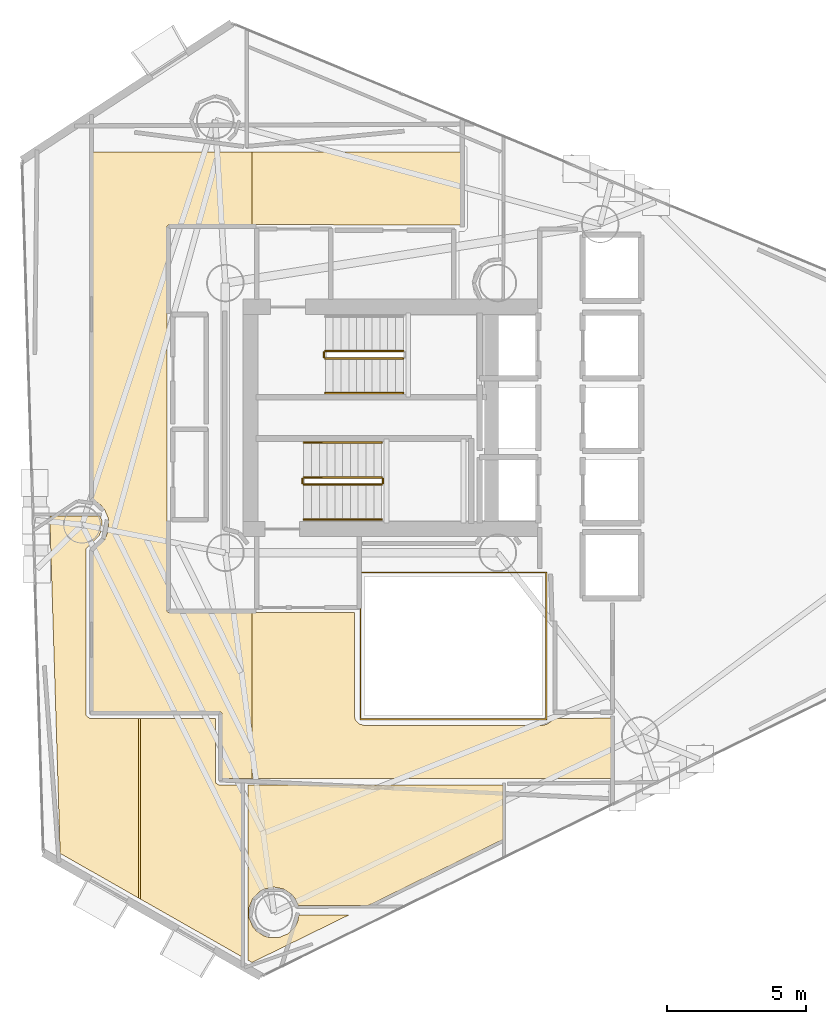
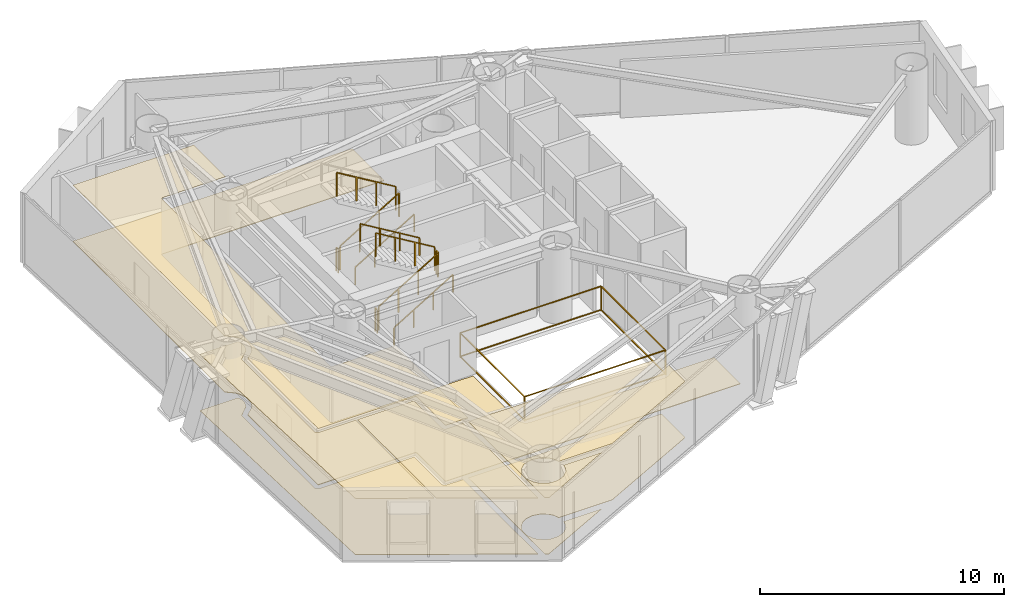
# One storey, part 22 of 23: 11 railings, 7 coverings.
"""IFC4 building model written with IfcOpenShell, lengths in metres."""

from ifc_helpers import new_model, si_unit, direction, frame, origin, origin_2d, place, context, subcontext, project, spatial, polyline, rectangle, outline, extrude, material, layer, layer_set, type_object, element, save


model = new_model("IFC4")

# Units and contexts
model_context = context("Model", 3, precision=1e-05, world=origin(), true_north=direction((0.0, 1.0)))
body_context = subcontext(model_context, "Body", "Model", "MODEL_VIEW")
ifc_project = project(units=[si_unit("LENGTHUNIT", "METRE"), si_unit("AREAUNIT", "SQUARE_METRE"), si_unit("VOLUMEUNIT", "CUBIC_METRE"), si_unit("PLANEANGLEUNIT", "RADIAN"), si_unit("MASSUNIT", "GRAM", prefix="KILO")], contexts=[model_context])

# Site, building, storey
site_placement = place(None, origin())
site = spatial("IfcSite", under=ifc_project, at=site_placement, CompositionType="ELEMENT")
building_placement = place(site_placement, origin())
building = spatial("IfcBuilding", under=site, at=building_placement, Name="Qianvela Tower", CompositionType="ELEMENT")
storey_placement = place(building_placement, frame((0.0, 0.0, 162.39990234375)))
storey = spatial("IfcBuildingStorey", under=building, at=storey_placement, Name="L41", CompositionType="ELEMENT", Elevation=162.39990234375)

# Coverings
ifc_material_1 = material(Name="Perforated Mineral Acoustic Ceiling Tile")
ifc_layer_1 = layer(ifc_material_1, 0.02490234375)
ifc_layer_set_1 = layer_set([ifc_layer_1], Name="Perforated Mineral Acoustic Ceiling Tile")
covering_type_1 = type_object("IfcCoveringType", Name="COV-CEIL-ACOUSTIC-25", PredefinedType="CEILING", material=ifc_layer_set_1)
covering_1_placement = place(storey_placement, frame((0.0, 0.0, 2.815185546875)))
element("IfcCovering", 1, at=covering_1_placement, inside=storey, type_object=covering_type_1, Name="L41 Acoustic Ceiling Bay 1 L41 Floor Corridor", PredefinedType="CEILING", context=body_context, shape_type="SweptSolid", body=[
    extrude(outline(polyline([(24.4033203125, 25.04150390625), (24.40234375, 25.04931640625), (24.400390625, 25.056884765625), (24.397705078125, 25.064208984375), (24.26416015625, 25.386962890625), (24.2607421875, 25.393798828125), (24.256591796875, 25.400634765625), (24.251953125, 25.406982421875), (24.140625, 25.54248046875), (24.135498046875, 25.54833984375), (24.129638671875, 25.5537109375), (23.830078125, 25.799560546875), (23.830078125, 38.27001953125), (29.55615234375, 38.27001953125), (29.55615234375, 35.651123046875), (26.57958984375, 35.639892578125), (26.572021484375, 35.6396484375), (26.564208984375, 35.638427734375), (26.556396484375, 35.636474609375), (26.54931640625, 35.6337890625), (26.5419921875, 35.630615234375), (26.535400390625, 35.62646484375), (26.529052734375, 35.62158203125), (26.523193359375, 35.616455078125), (26.51806640625, 35.610595703125), (26.513427734375, 35.6044921875), (26.509521484375, 35.59765625), (26.506103515625, 35.590576171875), (26.50341796875, 35.583251953125), (26.50146484375, 35.57568359375), (26.50048828125, 35.56787109375), (26.5, 35.56005859375), (26.5, 21.780029296875), (26.50048828125, 21.772216796875), (26.50146484375, 21.764404296875), (26.50341796875, 21.7568359375), (26.506103515625, 21.74951171875), (26.509521484375, 21.7421875), (26.513427734375, 21.735595703125), (26.518310546875, 21.729248046875), (26.5234375, 21.723388671875), (26.529296875, 21.71826171875), (26.53564453125, 21.71337890625), (26.542236328125, 21.70947265625), (26.54931640625, 21.7060546875), (26.556884765625, 21.703369140625), (26.564453125, 21.701416015625), (26.572265625, 21.700439453125), (26.580078125, 21.699951171875), (29.55615234375, 21.699951171875), (29.55615234375, 15.72998046875), (28.47998046875, 15.72998046875), (28.47998046875, 18.050048828125), (28.4794921875, 18.057861328125), (28.478515625, 18.065673828125), (28.4765625, 18.0732421875), (28.473876953125, 18.08056640625), (28.470703125, 18.087646484375), (28.466552734375, 18.094482421875), (28.4619140625, 18.100830078125), (28.45654296875, 18.106689453125), (28.45068359375, 18.11181640625), (28.4443359375, 18.116455078125), (28.437744140625, 18.12060546875), (28.4306640625, 18.123779296875), (28.423095703125, 18.126708984375), (28.41552734375, 18.12841796875), (28.40771484375, 18.129638671875), (28.39990234375, 18.1298828125), (23.830078125, 18.1298828125), (23.830078125, 23.921142578125), (24.244384765625, 24.302978515625), (24.25048828125, 24.30908203125), (24.255859375, 24.31591796875), (24.26025390625, 24.3232421875), (24.26416015625, 24.3310546875), (24.397705078125, 24.65380859375), (24.400390625, 24.6611328125), (24.40234375, 24.668701171875), (24.4033203125, 24.676513671875), (24.40380859375, 24.684326171875), (24.40380859375, 25.03369140625), (24.4033203125, 25.04150390625)])), origin(), (0.0, 0.0, 1.0), 0.02490234375),
])
covering_2_placement = place(storey_placement, frame((0.0, 0.0, 2.815185546875)))
element("IfcCovering", 2, at=covering_2_placement, inside=storey, type_object=covering_type_1, Name="L41 Acoustic Ceiling Bay 1 Maker Craft Workshop L41-01", PredefinedType="CEILING", context=body_context, shape_type="SweptSolid", body=[
    extrude(outline(polyline([(24.0908203125, 25.177978515625), (24.163818359375, 25.001708984375), (24.163818359375, 24.71630859375), (24.055419921875, 24.454345703125), (23.614501953125, 24.021484375), (23.60888671875, 24.015869140625), (23.604248046875, 24.009521484375), (23.60009765625, 24.002685546875), (23.5966796875, 23.995361328125), (23.593994140625, 23.988037109375), (23.592041015625, 23.980224609375), (23.5908203125, 23.972412109375), (23.59033203125, 23.964599609375), (23.593505859375, 18.026611328125), (23.593994140625, 18.0185546875), (23.59521484375, 18.01025390625), (23.597412109375, 18.002197265625), (23.60009765625, 17.994384765625), (23.60400390625, 17.987060546875), (23.6083984375, 17.980224609375), (23.613525390625, 17.9736328125), (23.619384765625, 17.9677734375), (23.625732421875, 17.96240234375), (23.702392578125, 17.90576171875), (23.70849609375, 17.901611328125), (23.71484375, 17.898193359375), (23.721435546875, 17.895263671875), (23.728515625, 17.89306640625), (23.735595703125, 17.891357421875), (23.74267578125, 17.890380859375), (23.75, 17.889892578125), (25.469482421875, 17.889892578125), (25.469482421875, 11.437255859375), (22.657470703125, 13.03662109375), (22.2841796875, 25.177978515625), (24.0908203125, 25.177978515625)])), origin(), (0.0, 0.0, 1.0), 0.02490234375),
])
covering_3_placement = place(storey_placement, frame((0.0, 0.0, 2.815185546875)))
element("IfcCovering", 3, at=covering_3_placement, inside=storey, type_object=covering_type_1, Name="L41 Acoustic Ceiling Bay 2 Maker Craft Workshop L41-01", PredefinedType="CEILING", context=body_context, shape_type="SweptSolid", body=[
    extrude(outline(polyline([(28.240234375, 17.889892578125), (28.24609375, 15.619140625), (28.24658203125, 15.61083984375), (28.247802734375, 15.602783203125), (28.25, 15.5947265625), (28.2529296875, 15.587158203125), (28.256591796875, 15.57958984375), (28.260986328125, 15.57275390625), (28.266357421875, 15.56640625), (28.272216796875, 15.560302734375), (28.2783203125, 15.55517578125), (28.344482421875, 15.506103515625), (28.3515625, 15.50146484375), (28.359130859375, 15.49755859375), (28.366943359375, 15.494384765625), (28.375244140625, 15.4921875), (28.383544921875, 15.49072265625), (28.39208984375, 15.490478515625), (29.177978515625, 15.489990234375), (29.177978515625, 9.328369140625), (25.54931640625, 11.391845703125), (25.54931640625, 17.889892578125), (28.240234375, 17.889892578125)])), origin(), (0.0, 0.0, 1.0), 0.02490234375),
])
covering_4_placement = place(storey_placement, frame((0.0, 0.0, 2.815185546875)))
element("IfcCovering", 4, at=covering_4_placement, inside=storey, type_object=covering_type_1, Name="L41 Acoustic Ceiling Student Reading Library L41-02", PredefinedType="CEILING", context=body_context, shape_type="SweptSolid", body=[
    extrude(outline(polyline([(38.577880859375, 13.535400390625), (33.75048828125, 11.1689453125), (31.2158203125, 11.16259765625), (31.114990234375, 11.40380859375), (31.11181640625, 11.410888671875), (31.107666015625, 11.41748046875), (31.10302734375, 11.423583984375), (30.999267578125, 11.55029296875), (30.993896484375, 11.555908203125), (30.98828125, 11.561279296875), (30.98193359375, 11.56591796875), (30.7109375, 11.7470703125), (30.704345703125, 11.7509765625), (30.697265625, 11.75439453125), (30.689697265625, 11.757080078125), (30.68212890625, 11.7587890625), (30.362548828125, 11.822509765625), (30.354736328125, 11.823486328125), (30.346923828125, 11.823974609375), (30.339111328125, 11.823486328125), (30.331298828125, 11.822509765625), (30.011962890625, 11.7587890625), (30.004150390625, 11.757080078125), (29.996826171875, 11.75439453125), (29.98974609375, 11.7509765625), (29.845458984375, 11.673828125), (29.838623046875, 11.669921875), (29.832275390625, 11.6650390625), (29.826416015625, 11.659912109375), (29.59619140625, 11.429443359375), (29.5908203125, 11.423583984375), (29.586181640625, 11.417236328125), (29.582275390625, 11.41064453125), (29.578857421875, 11.403564453125), (29.4541015625, 11.1025390625), (29.451416015625, 11.09521484375), (29.44970703125, 11.08740234375), (29.448486328125, 11.07958984375), (29.447998046875, 11.072021484375), (29.447998046875, 10.74609375), (29.448486328125, 10.73828125), (29.44970703125, 10.73046875), (29.451416015625, 10.722900390625), (29.4541015625, 10.715576171875), (29.578857421875, 10.41455078125), (29.582275390625, 10.407470703125), (29.586181640625, 10.400634765625), (29.5908203125, 10.394287109375), (29.694580078125, 10.267822265625), (29.699951171875, 10.261962890625), (29.705810546875, 10.256591796875), (29.712158203125, 10.251953125), (29.98291015625, 10.071044921875), (29.98974609375, 10.06689453125), (29.996826171875, 10.063720703125), (30.004150390625, 10.06103515625), (30.160888671875, 10.013427734375), (30.16845703125, 10.01171875), (30.17626953125, 10.010498046875), (30.18408203125, 10.010009765625), (30.510009765625, 10.010009765625), (30.517578125, 10.010498046875), (30.525390625, 10.01171875), (30.533203125, 10.013427734375), (30.54052734375, 10.01611328125), (30.841552734375, 10.140869140625), (30.8486328125, 10.144287109375), (30.855224609375, 10.148193359375), (30.86181640625, 10.15283203125), (30.867431640625, 10.158203125), (31.097900390625, 10.388427734375), (31.10302734375, 10.394287109375), (31.10791015625, 10.400634765625), (31.11181640625, 10.407470703125), (31.18896484375, 10.5517578125), (31.1923828125, 10.558837890625), (31.195068359375, 10.566162109375), (31.197021484375, 10.57373046875), (31.246826171875, 10.82275390625), (33.053466796875, 10.8271484375), (29.556396484375, 9.113037109375), (29.422119140625, 9.189453125), (29.422119140625, 15.489990234375), (38.577880859375, 15.489990234375), (38.577880859375, 13.535400390625)])), origin(), (0.0, 0.0, 1.0), 0.02490234375),
])
ifc_material_2 = material(Name="Engineered Acoustic Oak Timber Flooring", Category="wood")
ifc_layer_2 = layer(ifc_material_2, 0.02001953125)
ifc_layer_set_2 = layer_set([ifc_layer_2], Name="Engineered Acoustic Oak Timber Flooring")
covering_type_2 = type_object("IfcCoveringType", Name="COV-FLOOR-OAK-20", PredefinedType="FLOORING", material=ifc_layer_set_2)
covering_5_placement = place(storey_placement, origin())
element("IfcCovering", 5, at=covering_5_placement, inside=storey, type_object=covering_type_2, Name="L41 Finish Flooring Maker Craft Workshop L41-01", PredefinedType="FLOORING", context=body_context, shape_type="SweptSolid", body=[
    extrude(outline(polyline([(22.2841796875, 25.177978515625), (24.0908203125, 25.177978515625), (24.163818359375, 25.001708984375), (24.163818359375, 24.71630859375), (24.055419921875, 24.454345703125), (23.614501953125, 24.021484375), (23.60888671875, 24.015869140625), (23.604248046875, 24.009521484375), (23.60009765625, 24.002685546875), (23.5966796875, 23.995361328125), (23.593994140625, 23.988037109375), (23.592041015625, 23.980224609375), (23.5908203125, 23.972412109375), (23.59033203125, 23.964599609375), (23.593505859375, 18.026611328125), (23.593994140625, 18.0185546875), (23.59521484375, 18.01025390625), (23.597412109375, 18.002197265625), (23.60009765625, 17.994384765625), (23.60400390625, 17.987060546875), (23.6083984375, 17.980224609375), (23.613525390625, 17.9736328125), (23.619384765625, 17.9677734375), (23.625732421875, 17.96240234375), (23.702392578125, 17.90576171875), (23.70849609375, 17.901611328125), (23.71484375, 17.898193359375), (23.721435546875, 17.895263671875), (23.728515625, 17.89306640625), (23.735595703125, 17.891357421875), (23.74267578125, 17.890380859375), (23.75, 17.889892578125), (28.240234375, 17.889892578125), (28.24609375, 15.619140625), (28.24658203125, 15.61083984375), (28.247802734375, 15.602783203125), (28.25, 15.5947265625), (28.2529296875, 15.587158203125), (28.256591796875, 15.57958984375), (28.260986328125, 15.57275390625), (28.266357421875, 15.56640625), (28.272216796875, 15.560302734375), (28.2783203125, 15.55517578125), (28.344482421875, 15.506103515625), (28.3515625, 15.50146484375), (28.359130859375, 15.49755859375), (28.366943359375, 15.494384765625), (28.375244140625, 15.4921875), (28.383544921875, 15.49072265625), (28.39208984375, 15.490478515625), (29.177978515625, 15.489990234375), (29.177978515625, 9.328369140625), (22.657470703125, 13.03662109375), (22.2841796875, 25.177978515625)])), origin(), (0.0, 0.0, 1.0), 0.02001953125),
])
covering_6_placement = place(storey_placement, origin())
element("IfcCovering", 6, at=covering_6_placement, inside=storey, type_object=covering_type_2, Name="L41 Finish Flooring Student Reading Library L41-02", PredefinedType="FLOORING", context=body_context, shape_type="SweptSolid", body=[
    extrude(outline(polyline([(38.577880859375, 13.535400390625), (33.75048828125, 11.1689453125), (31.2158203125, 11.16259765625), (31.114990234375, 11.40380859375), (31.11181640625, 11.410888671875), (31.107666015625, 11.41748046875), (31.10302734375, 11.423583984375), (30.999267578125, 11.55029296875), (30.993896484375, 11.555908203125), (30.98828125, 11.561279296875), (30.98193359375, 11.56591796875), (30.7109375, 11.7470703125), (30.704345703125, 11.7509765625), (30.697265625, 11.75439453125), (30.689697265625, 11.757080078125), (30.68212890625, 11.7587890625), (30.362548828125, 11.822509765625), (30.354736328125, 11.823486328125), (30.346923828125, 11.823974609375), (30.339111328125, 11.823486328125), (30.331298828125, 11.822509765625), (30.011962890625, 11.7587890625), (30.004150390625, 11.757080078125), (29.996826171875, 11.75439453125), (29.98974609375, 11.7509765625), (29.845458984375, 11.673828125), (29.838623046875, 11.669921875), (29.832275390625, 11.6650390625), (29.826416015625, 11.659912109375), (29.59619140625, 11.429443359375), (29.5908203125, 11.423583984375), (29.586181640625, 11.417236328125), (29.582275390625, 11.41064453125), (29.578857421875, 11.403564453125), (29.4541015625, 11.1025390625), (29.451416015625, 11.09521484375), (29.44970703125, 11.08740234375), (29.448486328125, 11.07958984375), (29.447998046875, 11.072021484375), (29.447998046875, 10.74609375), (29.448486328125, 10.73828125), (29.44970703125, 10.73046875), (29.451416015625, 10.722900390625), (29.4541015625, 10.715576171875), (29.578857421875, 10.41455078125), (29.582275390625, 10.407470703125), (29.586181640625, 10.400634765625), (29.5908203125, 10.394287109375), (29.694580078125, 10.267822265625), (29.699951171875, 10.261962890625), (29.705810546875, 10.256591796875), (29.712158203125, 10.251953125), (29.98291015625, 10.071044921875), (29.98974609375, 10.06689453125), (29.996826171875, 10.063720703125), (30.004150390625, 10.06103515625), (30.160888671875, 10.013427734375), (30.16845703125, 10.01171875), (30.17626953125, 10.010498046875), (30.18408203125, 10.010009765625), (30.510009765625, 10.010009765625), (30.517578125, 10.010498046875), (30.525390625, 10.01171875), (30.533203125, 10.013427734375), (30.54052734375, 10.01611328125), (30.841552734375, 10.140869140625), (30.8486328125, 10.144287109375), (30.855224609375, 10.148193359375), (30.86181640625, 10.15283203125), (30.867431640625, 10.158203125), (31.097900390625, 10.388427734375), (31.10302734375, 10.394287109375), (31.10791015625, 10.400634765625), (31.11181640625, 10.407470703125), (31.18896484375, 10.5517578125), (31.1923828125, 10.558837890625), (31.195068359375, 10.566162109375), (31.197021484375, 10.57373046875), (31.246826171875, 10.82275390625), (33.053466796875, 10.8271484375), (29.556396484375, 9.113037109375), (29.422119140625, 9.189453125), (29.422119140625, 15.489990234375), (38.577880859375, 15.489990234375), (38.577880859375, 13.535400390625)])), origin(), (0.0, 0.0, 1.0), 0.02001953125),
])
ifc_material_3 = material(Name="Honed Stone Terrazzo Flooring", Category="masonry")
ifc_layer_3 = layer(ifc_material_3, 0.030029296875)
ifc_layer_set_3 = layer_set([ifc_layer_3], Name="Honed Stone Terrazzo Flooring")
covering_type_3 = type_object("IfcCoveringType", Name="COV-FLOOR-TERRAZZO-30", PredefinedType="FLOORING", material=ifc_layer_set_3)
covering_7_placement = place(storey_placement, origin())
element("IfcCovering", 7, at=covering_7_placement, inside=storey, type_object=covering_type_3, Name="L41 Finish Flooring L41 Floor Corridor", PredefinedType="FLOORING", context=body_context, shape_type="SweptSolid", body=[
    extrude(outline(polyline([(24.40380859375, 25.03369140625), (24.4033203125, 25.04150390625), (24.40234375, 25.04931640625), (24.400390625, 25.056884765625), (24.397705078125, 25.064208984375), (24.26416015625, 25.386962890625), (24.2607421875, 25.393798828125), (24.256591796875, 25.400634765625), (24.251953125, 25.406982421875), (24.140625, 25.54248046875), (24.135498046875, 25.54833984375), (24.129638671875, 25.5537109375), (23.830078125, 25.799560546875), (23.830078125, 38.27001953125), (37.070068359375, 38.27001953125), (37.070068359375, 35.639892578125), (32.5244140625, 35.639892578125), (32.43798828125, 35.659912109375), (32.428955078125, 35.66162109375), (32.419677734375, 35.662109375), (26.57958984375, 35.639892578125), (26.572021484375, 35.6396484375), (26.564208984375, 35.638427734375), (26.556396484375, 35.636474609375), (26.54931640625, 35.6337890625), (26.5419921875, 35.630615234375), (26.535400390625, 35.62646484375), (26.529052734375, 35.62158203125), (26.523193359375, 35.616455078125), (26.51806640625, 35.610595703125), (26.513427734375, 35.6044921875), (26.509521484375, 35.59765625), (26.506103515625, 35.590576171875), (26.50341796875, 35.583251953125), (26.50146484375, 35.57568359375), (26.50048828125, 35.56787109375), (26.5, 35.56005859375), (26.5, 21.780029296875), (26.50048828125, 21.772216796875), (26.50146484375, 21.764404296875), (26.50341796875, 21.7568359375), (26.506103515625, 21.74951171875), (26.509521484375, 21.7421875), (26.513427734375, 21.735595703125), (26.518310546875, 21.729248046875), (26.5234375, 21.723388671875), (26.529296875, 21.71826171875), (26.53564453125, 21.71337890625), (26.542236328125, 21.70947265625), (26.54931640625, 21.7060546875), (26.556884765625, 21.703369140625), (26.564453125, 21.701416015625), (26.572265625, 21.700439453125), (26.580078125, 21.699951171875), (33.239990234375, 21.699951171875), (33.239990234375, 18.0), (33.240478515625, 17.990234375), (33.242431640625, 17.980712890625), (33.275390625, 17.8486328125), (33.277587890625, 17.841064453125), (33.28076171875, 17.833740234375), (33.284423828125, 17.826904296875), (33.288818359375, 17.8203125), (33.293701171875, 17.814208984375), (33.38525390625, 17.71337890625), (33.391357421875, 17.70751953125), (33.398193359375, 17.701904296875), (33.405517578125, 17.697509765625), (33.4130859375, 17.693603515625), (33.421142578125, 17.690673828125), (33.576904296875, 17.643310546875), (33.58447265625, 17.6416015625), (33.59228515625, 17.640380859375), (33.60009765625, 17.639892578125), (40.0, 17.639892578125), (40.006591796875, 17.640380859375), (40.012939453125, 17.64111328125), (40.019287109375, 17.642333984375), (40.1513671875, 17.675537109375), (40.15869140625, 17.677734375), (40.166015625, 17.6806640625), (40.172607421875, 17.68408203125), (40.17919921875, 17.6884765625), (40.45947265625, 17.89306640625), (42.469970703125, 17.899658203125), (42.469970703125, 15.72998046875), (28.47998046875, 15.72998046875), (28.47998046875, 18.050048828125), (28.4794921875, 18.057861328125), (28.478515625, 18.065673828125), (28.4765625, 18.0732421875), (28.473876953125, 18.08056640625), (28.470703125, 18.087646484375), (28.466552734375, 18.094482421875), (28.4619140625, 18.100830078125), (28.45654296875, 18.106689453125), (28.45068359375, 18.11181640625), (28.4443359375, 18.116455078125), (28.437744140625, 18.12060546875), (28.4306640625, 18.123779296875), (28.423095703125, 18.126708984375), (28.41552734375, 18.12841796875), (28.40771484375, 18.129638671875), (28.39990234375, 18.1298828125), (23.830078125, 18.1298828125), (23.830078125, 23.921142578125), (24.244384765625, 24.302978515625), (24.25048828125, 24.30908203125), (24.255859375, 24.31591796875), (24.26025390625, 24.3232421875), (24.26416015625, 24.3310546875), (24.397705078125, 24.65380859375), (24.400390625, 24.6611328125), (24.40234375, 24.668701171875), (24.4033203125, 24.676513671875), (24.40380859375, 24.684326171875), (24.40380859375, 25.03369140625)])), origin(), (0.0, 0.0, 1.0), 0.030029296875),
])

# Railings
ifc_material_4 = material(Name="Laminated Safety Glass and Stainless Steel 316", Category="steel")
railing_type_1 = type_object("IfcRailingType", Name="RL-ATRIUM-GUARD-1250", PredefinedType="GUARDRAIL", material=ifc_material_4)
railing_1_placement = place(storey_placement, frame((33.4599609375, 17.860107421875, 0.0)))
element("IfcRailing", 8, at=railing_1_placement, inside=storey, type_object=railing_type_1, Name="L41 Atrium Edge Guardrail 1", PredefinedType="GUARDRAIL", context=body_context, shape_type="SweptSolid", body=[
    extrude(rectangle(XDim=0.050048828125, YDim=0.0400390625, at=origin_2d()), frame((0.0, 0.0, 1.22998046875), z_axis=(0.0, 1.0, 0.0), x_axis=(-1.0, 0.0, 0.0)), (0.0, 0.0, 1.0), 5.27978515625),
    extrude(rectangle(XDim=0.050048828125, YDim=0.0400390625, at=origin_2d()), frame((0.0, 0.0, 0.050048828125), z_axis=(0.0, 1.0, 0.0), x_axis=(-1.0, 0.0, 0.0)), (0.0, 0.0, 1.0), 5.27978515625),
    extrude(rectangle(XDim=0.050048828125, YDim=0.0400390625, at=origin_2d()), frame((0.0, 5.27978515625, 1.22998046875), z_axis=(1.0, 0.0, 0.0), x_axis=(0.0, 1.0, 0.0)), (0.0, 0.0, 1.0), 6.679931640625),
    extrude(rectangle(XDim=0.050048828125, YDim=0.0400390625, at=origin_2d()), frame((0.0, 5.27978515625, 0.050048828125), z_axis=(1.0, 0.0, 0.0), x_axis=(0.0, 1.0, 0.0)), (0.0, 0.0, 1.0), 6.679931640625),
    extrude(rectangle(XDim=0.050048828125, YDim=0.0400390625, at=origin_2d()), frame((6.679931640625, 5.27978515625, 1.22998046875), z_axis=(0.0, -1.0, 0.0), x_axis=(1.0, 0.0, 0.0)), (0.0, 0.0, 1.0), 5.27978515625),
    extrude(rectangle(XDim=0.050048828125, YDim=0.0400390625, at=origin_2d()), frame((6.679931640625, 5.27978515625, 0.050048828125), z_axis=(0.0, -1.0, 0.0), x_axis=(1.0, 0.0, 0.0)), (0.0, 0.0, 1.0), 5.27978515625),
    extrude(rectangle(XDim=0.050048828125, YDim=0.0400390625, at=origin_2d()), frame((6.679931640625, 0.0, 1.22998046875), z_axis=(-1.0, 0.0, 0.0), x_axis=(0.0, -1.0, 0.0)), (0.0, 0.0, 1.0), 6.679931640625),
    extrude(rectangle(XDim=0.050048828125, YDim=0.0400390625, at=origin_2d()), frame((6.679931640625, 0.0, 0.050048828125), z_axis=(-1.0, 0.0, 0.0), x_axis=(0.0, -1.0, 0.0)), (0.0, 0.0, 1.0), 6.679931640625),
    extrude(rectangle(XDim=0.050048828125, YDim=0.050048828125, at=origin_2d()), origin(), (0.0, 0.0, 1.0), 1.2099609375),
    extrude(rectangle(XDim=0.050048828125, YDim=0.050048828125, at=origin_2d()), frame((0.0, 5.27978515625, 0.0)), (0.0, 0.0, 1.0), 1.2099609375),
    extrude(rectangle(XDim=0.050048828125, YDim=0.050048828125, at=origin_2d()), frame((6.679931640625, 5.27978515625, 0.0)), (0.0, 0.0, 1.0), 1.2099609375),
    extrude(rectangle(XDim=0.050048828125, YDim=0.050048828125, at=origin_2d()), frame((6.679931640625, 0.0, 0.0)), (0.0, 0.0, 1.0), 1.2099609375),
])
ifc_material_5 = material(Name="Painted Tubular Steel Q355B", Category="steel")
railing_type_2 = type_object("IfcRailingType", Name="RL-STAIR-GUARD-1200", PredefinedType="GUARDRAIL", material=ifc_material_5)
railing_2_placement = place(storey_placement, frame((32.199951171875, 30.840087890625, 0.168212890625)))
element("IfcRailing", 9, at=railing_2_placement, inside=storey, type_object=railing_type_2, Name="L41 ST-1 stair guard 1", PredefinedType="GUARDRAIL", context=body_context, shape_type="SweptSolid", body=[
    extrude(rectangle(XDim=0.050048828125, YDim=0.0400390625, at=origin_2d()), frame((0.0, 0.0, 1.179931640625), z_axis=(0.857242210791, 0.0, 0.514913383045), x_axis=(0.0, 1.0, 0.0)), (0.0, 0.0, 1.0), 3.266357421875),
    extrude(rectangle(XDim=0.050048828125, YDim=0.050048828125, at=origin_2d()), origin(), (0.0, 0.0, 1.0), 1.159912109375),
    extrude(rectangle(XDim=0.050048828125, YDim=0.050048828125, at=origin_2d()), frame((0.933349609375, 0.0, 0.560546875)), (0.0, 0.0, 1.0), 1.159912109375),
    extrude(rectangle(XDim=0.050048828125, YDim=0.050048828125, at=origin_2d()), frame((1.86669921875, 0.0, 1.121337890625)), (0.0, 0.0, 1.0), 1.159912109375),
    extrude(rectangle(XDim=0.050048828125, YDim=0.050048828125, at=origin_2d()), frame((2.800048828125, 0.0, 1.681884765625)), (0.0, 0.0, 1.0), 1.159912109375),
])
railing_3_placement = place(storey_placement, frame((35.0, 31.10009765625, 2.018310546875)))
element("IfcRailing", 10, at=railing_3_placement, inside=storey, type_object=railing_type_2, Name="L41 ST-1 stair guard 3", PredefinedType="GUARDRAIL", context=body_context, shape_type="SweptSolid", body=[
    extrude(rectangle(XDim=0.050048828125, YDim=0.0400390625, at=origin_2d()), frame((0.0, 0.0, 1.179931640625), z_axis=(-0.857242210791, 0.0, 0.514913383045), x_axis=(0.0, -1.0, 0.0)), (0.0, 0.0, 1.0), 3.266357421875),
    extrude(rectangle(XDim=0.050048828125, YDim=0.050048828125, at=origin_2d()), origin(), (0.0, 0.0, 1.0), 1.159912109375),
    extrude(rectangle(XDim=0.050048828125, YDim=0.050048828125, at=origin_2d()), frame((-0.933349609375, 0.0, 0.560546875)), (0.0, 0.0, 1.0), 1.159912109375),
    extrude(rectangle(XDim=0.050048828125, YDim=0.050048828125, at=origin_2d()), frame((-1.86669921875, 0.0, 1.121337890625)), (0.0, 0.0, 1.0), 1.159912109375),
    extrude(rectangle(XDim=0.050048828125, YDim=0.050048828125, at=origin_2d()), frame((-2.800048828125, 0.0, 1.681884765625)), (0.0, 0.0, 1.0), 1.159912109375),
])
railing_4_placement = place(storey_placement, frame((32.14990234375, 30.889892578125, 0.0)))
element("IfcRailing", 11, at=railing_4_placement, inside=storey, type_object=railing_type_2, Name="L41 ST-1 stair guard 4", PredefinedType="GUARDRAIL", context=body_context, shape_type="SweptSolid", body=[
    extrude(rectangle(XDim=0.050048828125, YDim=0.0400390625, at=origin_2d()), frame((0.0, 0.0, 1.179931640625), z_axis=(0.0, 1.0, 0.0), x_axis=(-1.0, 0.0, 0.0)), (0.0, 0.0, 1.0), 0.16015625),
    extrude(rectangle(XDim=0.050048828125, YDim=0.050048828125, at=origin_2d()), origin(), (0.0, 0.0, 1.0), 1.159912109375),
    extrude(rectangle(XDim=0.050048828125, YDim=0.050048828125, at=origin_2d()), frame((0.0, 0.16015625, 0.0)), (0.0, 0.0, 1.0), 1.159912109375),
])
railing_5_placement = place(storey_placement, frame((31.419921875, 26.300048828125, 0.168212890625)))
element("IfcRailing", 12, at=railing_5_placement, inside=storey, type_object=railing_type_2, Name="L41 ST-2 stair guard 1", PredefinedType="GUARDRAIL", context=body_context, shape_type="SweptSolid", body=[
    extrude(rectangle(XDim=0.050048828125, YDim=0.0400390625, at=origin_2d()), frame((0.0, 0.0, 1.179931640625), z_axis=(0.857242210791, 0.0, 0.514913383045), x_axis=(0.0, 1.0, 0.0)), (0.0, 0.0, 1.0), 3.266357421875),
    extrude(rectangle(XDim=0.050048828125, YDim=0.050048828125, at=origin_2d()), origin(), (0.0, 0.0, 1.0), 1.159912109375),
    extrude(rectangle(XDim=0.050048828125, YDim=0.050048828125, at=origin_2d()), frame((0.933349609375, 0.0, 0.560546875)), (0.0, 0.0, 1.0), 1.159912109375),
    extrude(rectangle(XDim=0.050048828125, YDim=0.050048828125, at=origin_2d()), frame((1.86669921875, 0.0, 1.121337890625)), (0.0, 0.0, 1.0), 1.159912109375),
    extrude(rectangle(XDim=0.050048828125, YDim=0.050048828125, at=origin_2d()), frame((2.800048828125, 0.0, 1.681884765625)), (0.0, 0.0, 1.0), 1.159912109375),
])
railing_6_placement = place(storey_placement, frame((34.27001953125, 26.35009765625, 1.85009765625)))
element("IfcRailing", 13, at=railing_6_placement, inside=storey, type_object=railing_type_2, Name="L41 ST-2 stair guard 2", PredefinedType="GUARDRAIL", context=body_context, shape_type="SweptSolid", body=[
    extrude(rectangle(XDim=0.050048828125, YDim=0.0400390625, at=origin_2d()), frame((0.0, 0.0, 1.179931640625), z_axis=(0.0, 1.0, 0.0), x_axis=(-1.0, 0.0, 0.0)), (0.0, 0.0, 1.0), 0.159912109375),
    extrude(rectangle(XDim=0.050048828125, YDim=0.050048828125, at=origin_2d()), origin(), (0.0, 0.0, 1.0), 1.159912109375),
    extrude(rectangle(XDim=0.050048828125, YDim=0.050048828125, at=origin_2d()), frame((0.0, 0.159912109375, 0.0)), (0.0, 0.0, 1.0), 1.159912109375),
])
railing_7_placement = place(storey_placement, frame((34.219970703125, 26.56005859375, 2.018310546875)))
element("IfcRailing", 14, at=railing_7_placement, inside=storey, type_object=railing_type_2, Name="L41 ST-2 stair guard 3", PredefinedType="GUARDRAIL", context=body_context, shape_type="SweptSolid", body=[
    extrude(rectangle(XDim=0.050048828125, YDim=0.0400390625, at=origin_2d()), frame((0.0, 0.0, 1.179931640625), z_axis=(-0.857242210791, 0.0, 0.514913383045), x_axis=(0.0, -1.0, 0.0)), (0.0, 0.0, 1.0), 3.266357421875),
    extrude(rectangle(XDim=0.050048828125, YDim=0.050048828125, at=origin_2d()), origin(), (0.0, 0.0, 1.0), 1.159912109375),
    extrude(rectangle(XDim=0.050048828125, YDim=0.050048828125, at=origin_2d()), frame((-0.933349609375, 0.0, 0.560546875)), (0.0, 0.0, 1.0), 1.159912109375),
    extrude(rectangle(XDim=0.050048828125, YDim=0.050048828125, at=origin_2d()), frame((-1.86669921875, 0.0, 1.121337890625)), (0.0, 0.0, 1.0), 1.159912109375),
    extrude(rectangle(XDim=0.050048828125, YDim=0.050048828125, at=origin_2d()), frame((-2.800048828125, 0.0, 1.681884765625)), (0.0, 0.0, 1.0), 1.159912109375),
])
railing_8_placement = place(storey_placement, frame((31.3701171875, 26.35009765625, 0.0)))
element("IfcRailing", 15, at=railing_8_placement, inside=storey, type_object=railing_type_2, Name="L41 ST-2 stair guard 4", PredefinedType="GUARDRAIL", context=body_context, shape_type="SweptSolid", body=[
    extrude(rectangle(XDim=0.050048828125, YDim=0.0400390625, at=origin_2d()), frame((0.0, 0.0, 1.179931640625), z_axis=(0.0, 1.0, 0.0), x_axis=(-1.0, 0.0, 0.0)), (0.0, 0.0, 1.0), 0.159912109375),
    extrude(rectangle(XDim=0.050048828125, YDim=0.050048828125, at=origin_2d()), origin(), (0.0, 0.0, 1.0), 1.159912109375),
    extrude(rectangle(XDim=0.050048828125, YDim=0.050048828125, at=origin_2d()), frame((0.0, 0.159912109375, 0.0)), (0.0, 0.0, 1.0), 1.159912109375),
])
ifc_material_6 = material(Name="Brushed Stainless Steel 304", Category="steel")
railing_type_3 = type_object("IfcRailingType", Name="RL-STAIR-HANDRAIL-900", PredefinedType="HANDRAIL", material=ifc_material_6)
for number, where, name in (
    (16, (32.199951171875, 29.590087890625, 0.168212890625), "L41 ST-1 stair handrail 1"),
    (17, (31.419921875, 25.050048828125, 0.168212890625), "L41 ST-2 stair handrail 1"),
):
    element("IfcRailing", number, at=place(storey_placement, frame(where)), inside=storey, type_object=railing_type_3, Name=name, PredefinedType="HANDRAIL", context=body_context, shape_type="SweptSolid", body=[
        extrude(rectangle(XDim=0.050048828125, YDim=0.0400390625, at=origin_2d()), frame((0.0, 0.0, 0.8798828125), z_axis=(0.857242210791, 0.0, 0.514913383045), x_axis=(0.0, 1.0, 0.0)), (0.0, 0.0, 1.0), 3.266357421875),
        extrude(rectangle(XDim=0.050048828125, YDim=0.050048828125, at=origin_2d()), origin(), (0.0, 0.0, 1.0), 0.85986328125),
        extrude(rectangle(XDim=0.050048828125, YDim=0.050048828125, at=origin_2d()), frame((0.933349609375, 0.0, 0.560546875)), (0.0, 0.0, 1.0), 0.85986328125),
        extrude(rectangle(XDim=0.050048828125, YDim=0.050048828125, at=origin_2d()), frame((1.86669921875, 0.0, 1.121337890625)), (0.0, 0.0, 1.0), 0.85986328125),
        extrude(rectangle(XDim=0.050048828125, YDim=0.050048828125, at=origin_2d()), frame((2.800048828125, 0.0, 1.681884765625)), (0.0, 0.0, 1.0), 0.85986328125),
    ])
railing_9_placement = place(storey_placement, frame((34.219970703125, 27.81005859375, 2.018310546875)))
element("IfcRailing", 18, at=railing_9_placement, inside=storey, type_object=railing_type_3, Name="L41 ST-2 stair handrail 2", PredefinedType="HANDRAIL", context=body_context, shape_type="SweptSolid", body=[
    extrude(rectangle(XDim=0.050048828125, YDim=0.0400390625, at=origin_2d()), frame((0.0, 0.0, 0.8798828125), z_axis=(-0.857242210791, 0.0, 0.514913383045), x_axis=(0.0, -1.0, 0.0)), (0.0, 0.0, 1.0), 3.266357421875),
    extrude(rectangle(XDim=0.050048828125, YDim=0.050048828125, at=origin_2d()), origin(), (0.0, 0.0, 1.0), 0.85986328125),
    extrude(rectangle(XDim=0.050048828125, YDim=0.050048828125, at=origin_2d()), frame((-0.933349609375, 0.0, 0.560546875)), (0.0, 0.0, 1.0), 0.85986328125),
    extrude(rectangle(XDim=0.050048828125, YDim=0.050048828125, at=origin_2d()), frame((-1.86669921875, 0.0, 1.121337890625)), (0.0, 0.0, 1.0), 0.85986328125),
    extrude(rectangle(XDim=0.050048828125, YDim=0.050048828125, at=origin_2d()), frame((-2.800048828125, 0.0, 1.681884765625)), (0.0, 0.0, 1.0), 0.85986328125),
])

save(model, "model.ifc")
